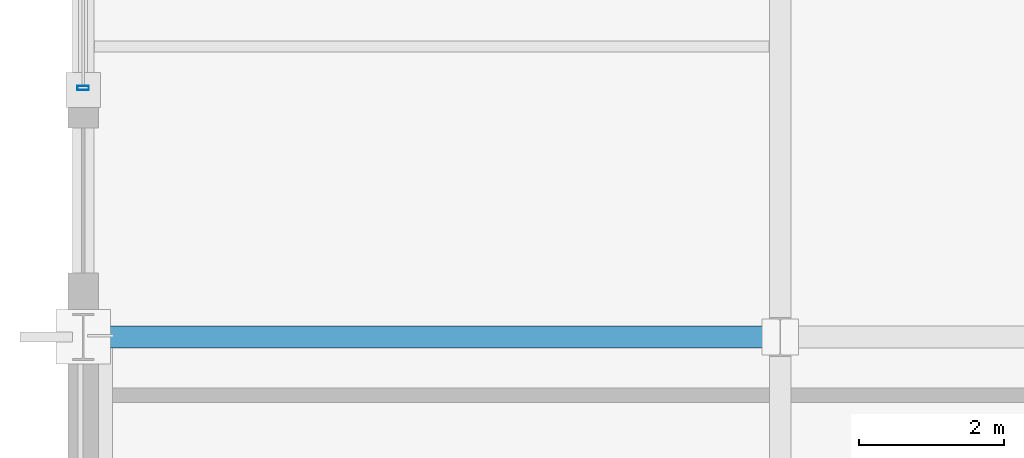
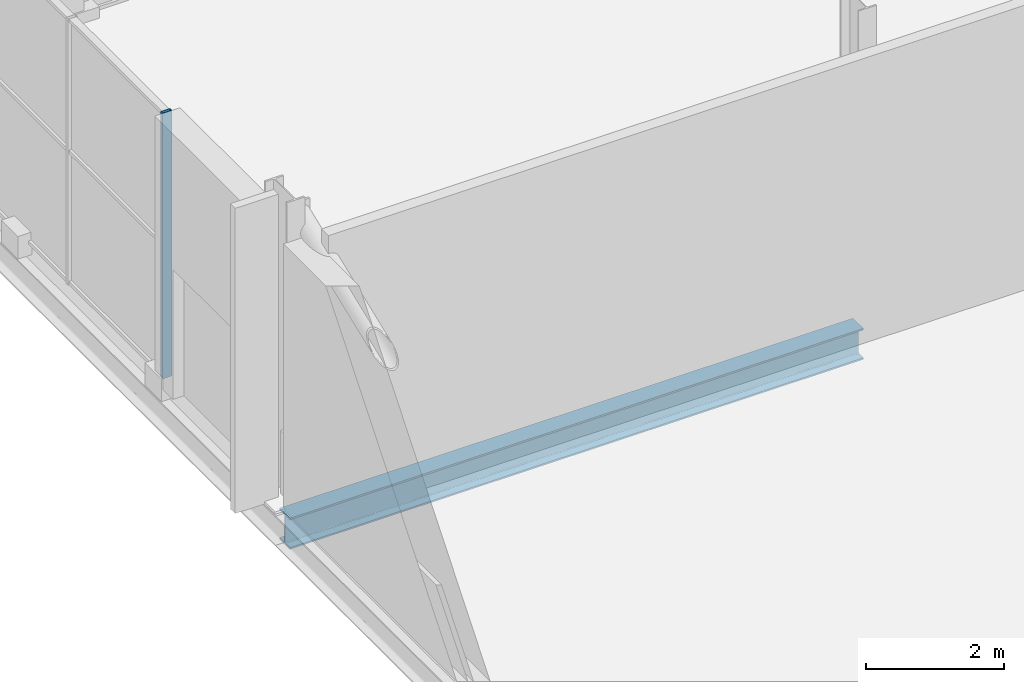
# One storey, part 102 of 196: 1 beam, 1 member, 1 element without a shape of its own.
"""IFC4 building model written with IfcOpenShell, lengths in metres."""

import ifcopenshell
import ifcopenshell.guid

model = None  # the IFC model being written
_history = None  # IfcOwnerHistory: only IFC2X3 demands one
_inside = {}  # id of a spatial element -> (the spatial element, [elements in it])
_under = {}  # id of a project, library or spatial element -> (it, [spatial elements below it])
_declared = {}  # id of a project -> (the project, [libraries it declares])
_typed = {}  # id of a type object -> (the type object, [elements of that type])
_made_of = {}  # id of a material, layer set ... -> (it, [elements and type objects made of it])


def new_model(schema):
    """Start an empty IFC model of exactly this schema.

    Asked for "IFC4X3", IfcOpenShell would pick the latest addendum, in which some entities
    have other attributes; the version numbers below select the first issue.
    IFC2X3 requires an IfcOwnerHistory on every rooted entity: one is made here for all.
    """
    global model, _history
    if schema == "IFC4X3":
        model = ifcopenshell.file(schema_version=(4, 3, 0, 0))
    else:
        model = ifcopenshell.file(schema=schema)
    _inside.clear()
    _under.clear()
    _declared.clear()
    _typed.clear()
    _made_of.clear()
    _history = None
    if model.schema == "IFC2X3":
        org = make("IfcOrganization", Name="unknown")
        user = make(
            "IfcPersonAndOrganization",
            ThePerson=make("IfcPerson", FamilyName="unknown"),
            TheOrganization=org,
        )
        app = make(
            "IfcApplication",
            ApplicationDeveloper=org,
            Version="unknown",
            ApplicationFullName="unknown",
            ApplicationIdentifier="unknown",
        )
        _history = make(
            "IfcOwnerHistory",
            OwningUser=user,
            OwningApplication=app,
            ChangeAction="ADDED",
            CreationDate=0,
        )
    return model


def make(cls, **values):
    """One entity of the class cls with the attributes given. An attribute that is None is left unset."""
    return model.create_entity(
        cls, **{name: value for name, value in values.items() if value is not None}
    )


def rooted(cls, **values):
    """An entity with a GlobalId (a new one), such as an element, a storey or a relation."""
    return make(cls, GlobalId=ifcopenshell.guid.new(), OwnerHistory=_history, **values)


def si_unit(unit_type, name, prefix=None):
    """IfcSIUnit, for example si_unit("LENGTHUNIT", "METRE", prefix="MILLI")."""
    return make("IfcSIUnit", UnitType=unit_type, Prefix=prefix, Name=name)


def assignment(units):
    """IfcUnitAssignment: the units of a project."""
    return None if units is None else make("IfcUnitAssignment", Units=units)


def point(xyz):
    """IfcCartesianPoint."""
    return None if xyz is None else make("IfcCartesianPoint", Coordinates=xyz)


def direction(xyz):
    """IfcDirection."""
    return None if xyz is None else make("IfcDirection", DirectionRatios=xyz)


def frame(location, z_axis=None, x_axis=None):
    """IfcAxis2Placement3D, a coordinate frame: its origin and axes. An axis left out is left unset."""
    return make(
        "IfcAxis2Placement3D",
        Location=point(location),
        Axis=direction(z_axis),
        RefDirection=direction(x_axis),
    )


def frame_2d(location, x_axis=None):
    """IfcAxis2Placement2D, a coordinate frame in the plane: its origin and x axis."""
    return make(
        "IfcAxis2Placement2D", Location=point(location), RefDirection=direction(x_axis)
    )


def origin():
    """The frame at (0, 0, 0) with its axes left unset."""
    return frame((0.0, 0.0, 0.0))


def origin_2d():
    """The frame at (0, 0) in the plane with its x axis left unset."""
    return frame_2d((0.0, 0.0))


def place(relative_to, where):
    """IfcLocalPlacement: puts the frame where relative to a parent placement (None: the world)."""
    return make(
        "IfcLocalPlacement", PlacementRelTo=relative_to, RelativePlacement=where
    )


def context(
    kind, dimensions, precision=None, world=None, true_north=None, identifier=None
):
    """IfcGeometricRepresentationContext, for example the 3D "Model" context."""
    return make(
        "IfcGeometricRepresentationContext",
        ContextIdentifier=identifier,
        ContextType=kind,
        CoordinateSpaceDimension=dimensions,
        Precision=precision,
        WorldCoordinateSystem=world,
        TrueNorth=true_north,
    )


def subcontext(parent, identifier, kind, view, scale=None):
    """IfcGeometricRepresentationSubContext, for example "Body" below "Model"."""
    return make(
        "IfcGeometricRepresentationSubContext",
        ContextIdentifier=identifier,
        ContextType=kind,
        ParentContext=parent,
        TargetScale=scale,
        TargetView=view,
    )


def project(units=None, contexts=None):
    """IfcProject with its units and contexts."""
    return rooted(
        "IfcProject",
        Name="project",
        RepresentationContexts=contexts,
        UnitsInContext=assignment(units),
    )


def spatial(cls, under=None, at=None, **own):
    """A site, building, storey or space (cls), placed at a placement, below another one or the project."""
    s = rooted(cls, ObjectPlacement=at, **own)
    if under is not None:
        _under.setdefault(under.id(), (under, []))[1].append(s)
    return s


def profile(cls, at=None, kind="AREA", **sizes):
    """A parametric profile (cls). Its sizes go by their IFC names, for example OverallWidth=200.0."""
    return make(cls, ProfileType=kind, Position=at, **sizes)


def hollow_rectangle(**sizes):
    """IfcRectangleHollowProfileDef."""
    return profile("IfcRectangleHollowProfileDef", **sizes)


def i_section(**sizes):
    """IfcIShapeProfileDef."""
    return profile("IfcIShapeProfileDef", **sizes)


def extrude(swept, where, along, depth):
    """IfcExtrudedAreaSolid: the profile swept, set in the frame where, extruded along a direction by depth."""
    return make(
        "IfcExtrudedAreaSolid",
        SweptArea=swept,
        Position=where,
        ExtrudedDirection=direction(along),
        Depth=depth,
    )


def shape(context_of_items, identifier, shape_type, items):
    """IfcShapeRepresentation: the items that make up one representation, for example the "Body"."""
    return make(
        "IfcShapeRepresentation",
        ContextOfItems=context_of_items,
        RepresentationIdentifier=identifier,
        RepresentationType=shape_type,
        Items=items,
    )


def material(Name=None, Category=None):
    """IfcMaterial."""
    return make("IfcMaterial", Name=Name, Category=Category)


def material_profile(
    of_material, cross_section, Name=None, Category=None, Priority=None
):
    """IfcMaterialProfile: a cross section and its material."""
    return make(
        "IfcMaterialProfile",
        Name=Name,
        Material=of_material,
        Profile=cross_section,
        Priority=Priority,
        Category=Category,
    )


def profile_set(profiles, Name=None, composite=None):
    """IfcMaterialProfileSet."""
    return make(
        "IfcMaterialProfileSet",
        Name=Name,
        MaterialProfiles=profiles,
        CompositeProfile=composite,
    )


def made_of(thing, what):
    """Note that an element or type object is made of a material, layer set ...; save() writes the relation."""
    if what is not None:
        _made_of.setdefault(what.id(), (what, []))[1].append(thing)
    return thing


def type_object(cls, material=None, **own):
    """A type object (cls), such as IfcWallType, which elements share."""
    return made_of(rooted(cls, **own), material)


def element(
    cls,
    number,
    at=None,
    inside=None,
    cuts=None,
    type_object=None,
    material=None,
    context=None,
    identifier="Body",
    shape_type=None,
    held_by="IfcProductDefinitionShape",
    body=None,
    shapes=None,
    **own,
):
    """One element of the class cls, such as IfcWall. Its Tag is "e" and its number.

    at: its placement. inside: the storey or other place that contains it. cuts: it is an
    opening in that element (IfcRelVoidsElement). A single representation is given by context,
    identifier, shape_type and body (its items); several are given by shapes. held_by: the class
    of the entity that holds the representations. save() writes the other relations.
    """
    e = rooted(cls, Tag="e%d" % number, ObjectPlacement=at, **own)
    if body is not None:
        shapes = [shape(context, identifier, shape_type, body)]
    if shapes is not None:
        e.Representation = make(held_by, Representations=shapes)
    if inside is not None:
        _inside.setdefault(inside.id(), (inside, []))[1].append(e)
    if cuts is not None:
        rooted(
            "IfcRelVoidsElement", RelatingBuildingElement=cuts, RelatedOpeningElement=e
        )
    if type_object is not None:
        _typed.setdefault(type_object.id(), (type_object, []))[1].append(e)
    return made_of(e, material)


def aggregate(whole, parts):
    """IfcRelAggregates: a whole, such as a stair, and the parts it consists of."""
    return rooted("IfcRelAggregates", RelatingObject=whole, RelatedObjects=parts)


def save(model, path):
    """Write the relations noted so far, then the file.

    IfcRelAggregates (storeys below a building ...), IfcRelContainedInSpatialStructure (elements
    in a storey), IfcRelDefinesByType, IfcRelAssociatesMaterial and IfcRelDeclares: one each for
    every whole, place, type object, material and project.
    """
    for whole, parts in _under.values():
        aggregate(whole, parts)
    for where, things in _inside.values():
        rooted(
            "IfcRelContainedInSpatialStructure",
            RelatedElements=things,
            RelatingStructure=where,
        )
    for kind, things in _typed.values():
        rooted("IfcRelDefinesByType", RelatedObjects=things, RelatingType=kind)
    for what, things in _made_of.values():
        rooted("IfcRelAssociatesMaterial", RelatedObjects=things, RelatingMaterial=what)
    for by, libraries in _declared.values():
        rooted("IfcRelDeclares", RelatingContext=by, RelatedDefinitions=libraries)
    model.write(path)


model = new_model("IFC4")

# Units and contexts
model_context = context("Model", 3, precision=1e-05, world=origin(), true_north=direction((0.0, 1.0)))
body_context = subcontext(model_context, "Body", "Model", "MODEL_VIEW")
ifc_project = project(units=[si_unit("LENGTHUNIT", "METRE"), si_unit("AREAUNIT", "SQUARE_METRE"), si_unit("VOLUMEUNIT", "CUBIC_METRE"), si_unit("PLANEANGLEUNIT", "RADIAN"), si_unit("MASSUNIT", "GRAM", prefix="KILO")], contexts=[model_context])

# Site, building, storey
site_placement = place(None, origin())
site = spatial("IfcSite", under=ifc_project, at=site_placement, CompositionType="ELEMENT")
building_placement = place(site_placement, origin())
building = spatial("IfcBuilding", under=site, at=building_placement, Name="Merenkruunu Market Hall", CompositionType="ELEMENT")
storey_placement = place(building_placement, origin())
storey = spatial("IfcBuildingStorey", under=building, at=storey_placement, Name="L00", CompositionType="ELEMENT", Elevation=0.0)

# Curtain wall, member
ifc_material_1 = material(Name="Powder-coated aluminium", Category="aluminium")
curtain_wall_type = type_object("IfcCurtainWallType", Name="Glazed Curtain Wall CW06", PredefinedType="USERDEFINED", material=ifc_material_1)
curtain_wall_placement = place(storey_placement, origin())
curtain_wall = element("IfcCurtainWall", 1, at=curtain_wall_placement, inside=storey, type_object=curtain_wall_type, Name="CW-L00-CWM01-016", ObjectType="GLAZED_FACADE", PredefinedType="USERDEFINED")
ifc_material_profile_1 = material_profile(ifc_material_1, hollow_rectangle(XDim=0.06005859375, YDim=0.159912109375, WallThickness=0.00390625, at=origin_2d()), Name="ALU 60x160x4")
ifc_profile_set_1 = profile_set([ifc_material_profile_1], Name="Powder-coated aluminium")
member_type = type_object("IfcMemberType", Name="Curtain Wall Mullion CWM01", PredefinedType="MULLION", material=ifc_profile_set_1)
member_placement = place(storey_placement, frame((0.0, 103.030029296875, 0.0), z_axis=(0.0, 0.0, 1.0), x_axis=(0.0, 1.0, 0.0)))
member = element("IfcMember", 2, at=member_placement, type_object=member_type, Name="CW06 mullion 1", PredefinedType="MULLION", context=body_context, shape_type="SweptSolid", body=[
    extrude(hollow_rectangle(XDim=0.06005859375, YDim=0.159912109375, WallThickness=0.00390625, at=origin_2d()), origin(), (0.0, 0.0, 1.0), 4.699951171875),
])
aggregate(curtain_wall, [member])

# Beam
ifc_material_2 = material(Name="Steel S355J2", Category="steel")
ifc_material_profile_2 = material_profile(ifc_material_2, i_section(OverallWidth=0.300048828125, OverallDepth=0.550048828125, WebThickness=0.014892578125, FlangeThickness=0.029052734375, FilletRadius=0.027099609375, at=origin_2d()), Name="HEB 550")
ifc_profile_set_2 = profile_set([ifc_material_profile_2], Name="Steel S355J2")
beam_type = type_object("IfcBeamType", Name="Primary Floor Girder B02", PredefinedType="BEAM", material=ifc_profile_set_2)
beam_placement = place(storey_placement, frame((0.0, 99.60009765625, -0.614990234375), z_axis=(1.0, 0.0, 0.0), x_axis=(0.0, 1.0, 0.0)))
element("IfcBeam", 3, at=beam_placement, inside=storey, type_object=beam_type, Name="BM-L00-B02-0114", PredefinedType="BEAM", context=body_context, shape_type="SweptSolid", body=[
    extrude(i_section(OverallWidth=0.300048828125, OverallDepth=0.550048828125, WebThickness=0.014892578125, FlangeThickness=0.029052734375, FilletRadius=0.027099609375, at=origin_2d()), origin(), (0.0, 0.0, 1.0), 9.60009765625),
])

save(model, "model.ifc")
